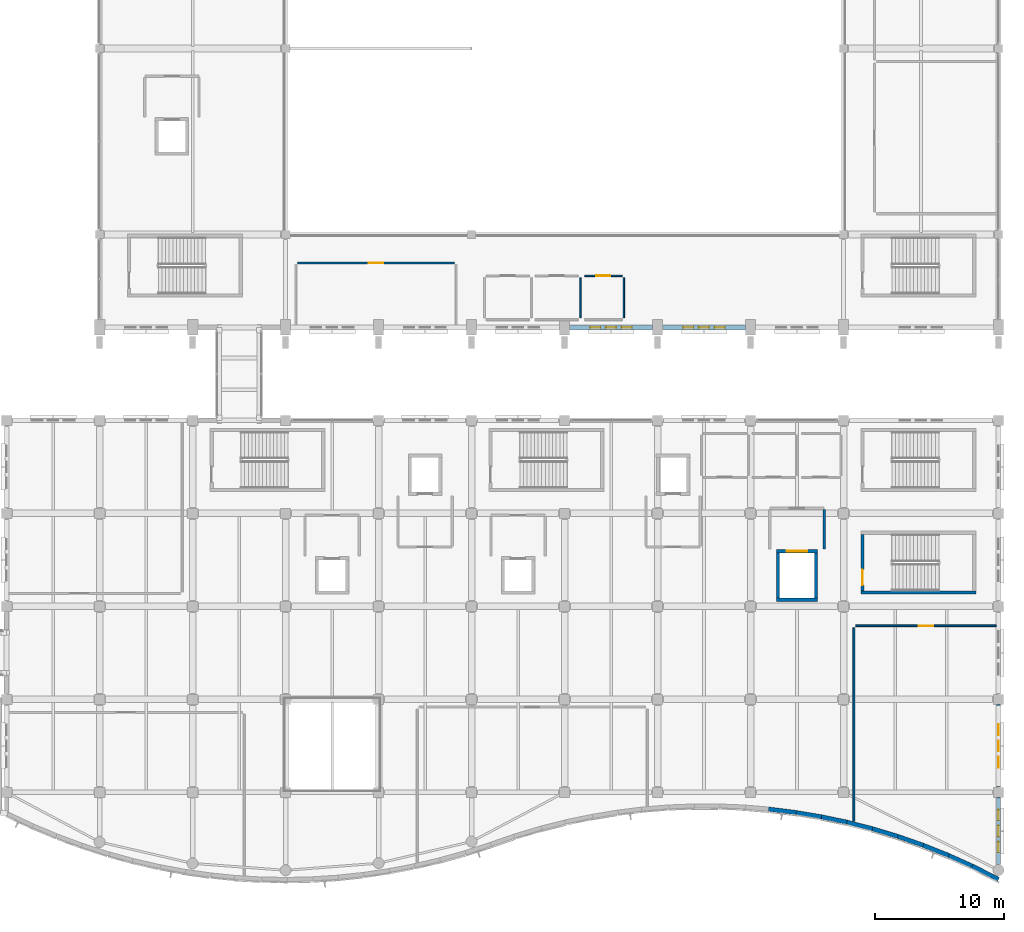
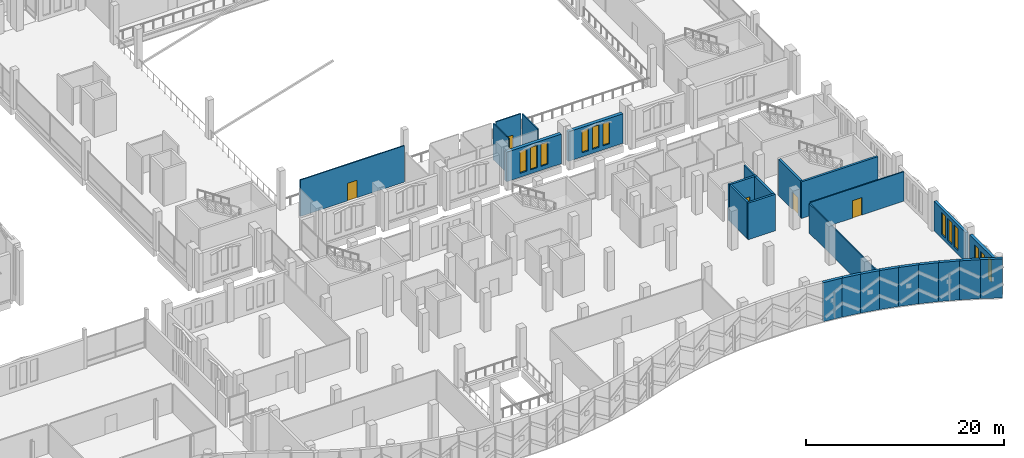
# One storey, part 162 of 220: 26 walls, 12 windows, 5 doors, 17 openings.
"""IFC4 building model written with IfcOpenShell, lengths in metres."""

from ifc_helpers import new_model, si_unit, direction, frame, frame_2d, origin, place, context, subcontext, project, spatial, rectangle, extrude, material, layer, layer_set, type_object, element, fill, save


model = new_model("IFC4")

# Units and contexts
model_context = context("Model", 3, precision=1e-05, world=origin(), true_north=direction((0.0, 1.0)))
body_context = subcontext(model_context, "Body", "Model", "MODEL_VIEW")
ifc_project = project(units=[si_unit("LENGTHUNIT", "METRE"), si_unit("AREAUNIT", "SQUARE_METRE"), si_unit("VOLUMEUNIT", "CUBIC_METRE"), si_unit("PLANEANGLEUNIT", "RADIAN"), si_unit("MASSUNIT", "GRAM", prefix="KILO")], contexts=[model_context])

# Site, building, storey
site_placement = place(None, origin())
site = spatial("IfcSite", under=ifc_project, at=site_placement, CompositionType="ELEMENT")
building_placement = place(site_placement, origin())
building = spatial("IfcBuilding", under=site, at=building_placement, Name="Cendralis Lancet Convention Centre", CompositionType="ELEMENT")
storey_placement = place(building_placement, frame((0.0, 0.0, 5.39990234375)))
storey = spatial("IfcBuildingStorey", under=building, at=storey_placement, Name="L01", CompositionType="ELEMENT", Elevation=5.39990234375)

# Wall, openings, windows
ifc_material_1 = material(Name="Buff sandstone ashlar and Concrete G40 (C40/50)", Category="masonry")
ifc_layer_1 = layer(ifc_material_1, 0.320068359375, Name="Buff sandstone ashlar and Concrete G40 (C40/50)")
ifc_layer_set_1 = layer_set([ifc_layer_1], Name="Buff sandstone ashlar and Concrete G40 (C40/50)")
wall_type_1 = type_object("IfcWallType", Name="ARC-EW-W320", PredefinedType="STANDARD", material=ifc_layer_set_1)
wall_1_placement = place(storey_placement, frame((208.800048828125, 13.991943359375, 0.0), z_axis=(0.0, 0.0, 1.0), x_axis=(0.0, -1.0, 0.0)))
wall_1 = element("IfcWall", 1, at=wall_1_placement, inside=storey, type_object=wall_type_1, Name="L01 V5 Exterior Wall EW-06 #0272", PredefinedType="STANDARD", context=body_context, shape_type="SweptSolid", body=[
    extrude(rectangle(XDim=6.384033203125, YDim=0.320068359375, at=frame_2d((3.19189453125, 0.0))), origin(), (0.0, 0.0, 1.0), 3.635009765625),
])
opening_1_placement = place(wall_1_placement, frame((1.511962890625, 0.0, 0.5)))
opening_1 = element("IfcOpeningElement", 2, at=opening_1_placement, cuts=wall_1, Name="Opening WN-15", PredefinedType="OPENING", context=body_context, shape_type="SweptSolid", body=[
    extrude(rectangle(XDim=0.840087890625, YDim=2.699951171875, at=frame_2d((0.419921875, 1.35009765625))), frame((0.0, 0.169921875, 0.0), z_axis=(0.0, -1.0, 0.0), x_axis=(1.0, 0.0, 0.0)), (0.0, 0.0, 1.0), 0.340087890625),
])
opening_2_placement = place(wall_1_placement, frame((2.77197265625, 0.0, 0.5)))
opening_2 = element("IfcOpeningElement", 3, at=opening_2_placement, cuts=wall_1, Name="Opening WN-15", PredefinedType="OPENING", context=body_context, shape_type="SweptSolid", body=[
    extrude(rectangle(XDim=0.840087890625, YDim=2.699951171875, at=frame_2d((0.419921875, 1.35009765625))), frame((0.0, 0.169921875, 0.0), z_axis=(0.0, -1.0, 0.0), x_axis=(1.0, 0.0, 0.0)), (0.0, 0.0, 1.0), 0.340087890625),
])
opening_3_placement = place(wall_1_placement, frame((4.031982421875, 0.0, 0.5)))
opening_3 = element("IfcOpeningElement", 4, at=opening_3_placement, cuts=wall_1, Name="Opening WN-15", PredefinedType="OPENING", context=body_context, shape_type="SweptSolid", body=[
    extrude(rectangle(XDim=0.840087890625, YDim=2.699951171875, at=frame_2d((0.419921875, 1.35009765625))), frame((0.0, 0.169921875, 0.0), z_axis=(0.0, -1.0, 0.0), x_axis=(1.0, 0.0, 0.0)), (0.0, 0.0, 1.0), 0.340087890625),
])
ifc_material_2 = material(Name="Double-glazed low-E solar-control glass", Category="glass")
window_type_1 = type_object("IfcWindowType", Name="ARC-WN-LW15", PartitioningType="SINGLE_PANEL", PredefinedType="WINDOW", material=ifc_material_2)
window_1_placement = place(opening_1_placement, origin())
window_1 = element("IfcWindow", 5, at=window_1_placement, inside=storey, type_object=window_type_1, Name="Gothic Lancet Window WN-15 #0520", OverallHeight=2.699951171875, OverallWidth=0.840087890625, PartitioningType="SINGLE_PANEL", PredefinedType="WINDOW", context=body_context, shape_type="SweptSolid", body=[
    extrude(rectangle(XDim=0.840087890625, YDim=2.699951171875, at=frame_2d((0.419921875, 1.35009765625))), frame((0.0, 0.030029296875, 0.0), z_axis=(0.0, -1.0, 0.0), x_axis=(1.0, 0.0, 0.0)), (0.0, 0.0, 1.0), 0.06005859375),
])
fill(opening_1, window_1)
window_2_placement = place(opening_2_placement, origin())
window_2 = element("IfcWindow", 6, at=window_2_placement, inside=storey, type_object=window_type_1, Name="Gothic Lancet Window WN-15 #0521", OverallHeight=2.699951171875, OverallWidth=0.840087890625, PartitioningType="SINGLE_PANEL", PredefinedType="WINDOW", context=body_context, shape_type="SweptSolid", body=[
    extrude(rectangle(XDim=0.840087890625, YDim=2.699951171875, at=frame_2d((0.419921875, 1.35009765625))), frame((0.0, 0.030029296875, 0.0), z_axis=(0.0, -1.0, 0.0), x_axis=(1.0, 0.0, 0.0)), (0.0, 0.0, 1.0), 0.06005859375),
])
fill(opening_2, window_2)
window_3_placement = place(opening_3_placement, origin())
window_3 = element("IfcWindow", 7, at=window_3_placement, inside=storey, type_object=window_type_1, Name="Gothic Lancet Window WN-15 #0522", OverallHeight=2.699951171875, OverallWidth=0.840087890625, PartitioningType="SINGLE_PANEL", PredefinedType="WINDOW", context=body_context, shape_type="SweptSolid", body=[
    extrude(rectangle(XDim=0.840087890625, YDim=2.699951171875, at=frame_2d((0.419921875, 1.35009765625))), frame((0.0, 0.030029296875, 0.0), z_axis=(0.0, -1.0, 0.0), x_axis=(1.0, 0.0, 0.0)), (0.0, 0.0, 1.0), 0.06005859375),
])
fill(opening_3, window_3)

wall_2_placement = place(storey_placement, frame((208.800048828125, 6.7919921875, 0.0), z_axis=(0.0, 0.0, 1.0), x_axis=(0.0, -1.0, 0.0)))
wall_2 = element("IfcWall", 8, at=wall_2_placement, inside=storey, type_object=wall_type_1, Name="L01 V5 Exterior Wall EW-06 #0273", PredefinedType="STANDARD", context=body_context, shape_type="SweptSolid", body=[
    extrude(rectangle(XDim=5.17529296875, YDim=0.320068359375, at=frame_2d((2.587646484375, 0.0))), origin(), (0.0, 0.0, 1.0), 3.885009765625),
])
opening_4_placement = place(wall_2_placement, frame((0.947509765625, 0.0, 0.5)))
opening_4 = element("IfcOpeningElement", 9, at=opening_4_placement, cuts=wall_2, Name="Opening WN-07", PredefinedType="OPENING", context=body_context, shape_type="SweptSolid", body=[
    extrude(rectangle(XDim=0.800048828125, YDim=2.75, at=frame_2d((0.39990234375, 1.375))), frame((0.0, 0.169921875, 0.0), z_axis=(0.0, -1.0, 0.0), x_axis=(1.0, 0.0, 0.0)), (0.0, 0.0, 1.0), 0.340087890625),
])
opening_5_placement = place(wall_2_placement, frame((2.16748046875, 0.0, 0.5)))
opening_5 = element("IfcOpeningElement", 10, at=opening_5_placement, cuts=wall_2, Name="Opening WN-15", PredefinedType="OPENING", context=body_context, shape_type="SweptSolid", body=[
    extrude(rectangle(XDim=0.840087890625, YDim=2.699951171875, at=frame_2d((0.419921875, 1.35009765625))), frame((0.0, 0.169921875, 0.0), z_axis=(0.0, -1.0, 0.0), x_axis=(1.0, 0.0, 0.0)), (0.0, 0.0, 1.0), 0.340087890625),
])
opening_6_placement = place(wall_2_placement, frame((3.427490234375, 0.0, 0.5)))
opening_6 = element("IfcOpeningElement", 11, at=opening_6_placement, cuts=wall_2, Name="Opening WN-07", PredefinedType="OPENING", context=body_context, shape_type="SweptSolid", body=[
    extrude(rectangle(XDim=0.800048828125, YDim=2.75, at=frame_2d((0.39990234375, 1.375))), frame((0.0, 0.169921875, 0.0), z_axis=(0.0, -1.0, 0.0), x_axis=(1.0, 0.0, 0.0)), (0.0, 0.0, 1.0), 0.340087890625),
])
window_type_2 = type_object("IfcWindowType", Name="ARC-WN-LW07", PartitioningType="SINGLE_PANEL", PredefinedType="WINDOW", material=ifc_material_2)
window_4_placement = place(opening_4_placement, origin())
window_4 = element("IfcWindow", 12, at=window_4_placement, inside=storey, type_object=window_type_2, Name="Gothic Lancet Window WN-07 #0523", OverallHeight=2.75, OverallWidth=0.800048828125, PartitioningType="SINGLE_PANEL", PredefinedType="WINDOW", context=body_context, shape_type="SweptSolid", body=[
    extrude(rectangle(XDim=0.800048828125, YDim=2.75, at=frame_2d((0.39990234375, 1.375))), frame((0.0, 0.030029296875, 0.0), z_axis=(0.0, -1.0, 0.0), x_axis=(1.0, 0.0, 0.0)), (0.0, 0.0, 1.0), 0.06005859375),
])
fill(opening_4, window_4)
window_5_placement = place(opening_6_placement, origin())
window_5 = element("IfcWindow", 13, at=window_5_placement, inside=storey, type_object=window_type_2, Name="Gothic Lancet Window WN-07 #0525", OverallHeight=2.75, OverallWidth=0.800048828125, PartitioningType="SINGLE_PANEL", PredefinedType="WINDOW", context=body_context, shape_type="SweptSolid", body=[
    extrude(rectangle(XDim=0.800048828125, YDim=2.75, at=frame_2d((0.39990234375, 1.375))), frame((0.0, 0.030029296875, 0.0), z_axis=(0.0, -1.0, 0.0), x_axis=(1.0, 0.0, 0.0)), (0.0, 0.0, 1.0), 0.06005859375),
])
fill(opening_6, window_5)
window_6_placement = place(opening_5_placement, origin())
window_6 = element("IfcWindow", 14, at=window_6_placement, inside=storey, type_object=window_type_1, Name="Gothic Lancet Window WN-15 #0524", OverallHeight=2.699951171875, OverallWidth=0.840087890625, PartitioningType="SINGLE_PANEL", PredefinedType="WINDOW", context=body_context, shape_type="SweptSolid", body=[
    extrude(rectangle(XDim=0.840087890625, YDim=2.699951171875, at=frame_2d((0.419921875, 1.35009765625))), frame((0.0, 0.030029296875, 0.0), z_axis=(0.0, -1.0, 0.0), x_axis=(1.0, 0.0, 0.0)), (0.0, 0.0, 1.0), 0.06005859375),
])
fill(opening_5, window_6)

# Walls
ifc_layer_2 = layer(ifc_material_1, 0.340087890625, Name="Buff sandstone ashlar and Concrete G40 (C40/50)")
ifc_layer_set_2 = layer_set([ifc_layer_2], Name="Buff sandstone ashlar and Concrete G40 (C40/50)")
wall_type_2 = type_object("IfcWallType", Name="ARC-EW-W340", PredefinedType="STANDARD", material=ifc_layer_set_2)
wall_3_placement = place(storey_placement, frame((190.99267578125, 5.905517578125, 0.0), z_axis=(0.0, 0.0, 1.0), x_axis=(0.992340518497, -0.123532567972, 0.0)))
element("IfcWall", 15, at=wall_3_placement, inside=storey, type_object=wall_type_2, Name="South Boulevard Wave Wall L01 WP-097-WP-098", PredefinedType="STANDARD", context=body_context, shape_type="SweptSolid", body=[
    extrude(rectangle(XDim=2.154296875, YDim=0.340087890625, at=frame_2d((1.0771484375, 0.0))), origin(), (0.0, 0.0, 1.0), 4.800048828125),
])
wall_4_placement = place(storey_placement, frame((192.962158203125, 5.6640625, 0.0), z_axis=(0.0, 0.0, 1.0), x_axis=(0.986406105595, -0.164325880023, 0.0)))
element("IfcWall", 16, at=wall_4_placement, inside=storey, type_object=wall_type_2, Name="South Boulevard Wave Wall L01 WP-098-WP-099", PredefinedType="STANDARD", context=body_context, shape_type="SweptSolid", body=[
    extrude(rectangle(XDim=2.166259765625, YDim=0.340087890625, at=frame_2d((1.0830078125, 0.0))), origin(), (0.0, 0.0, 1.0), 4.800048828125),
])
wall_5_placement = place(storey_placement, frame((194.931884765625, 5.339599609375, 0.0), z_axis=(0.0, 0.0, 1.0), x_axis=(0.978597224131, -0.205785016274, 0.0)))
element("IfcWall", 17, at=wall_5_placement, inside=storey, type_object=wall_type_2, Name="South Boulevard Wave Wall L01 WP-099-WP-100", PredefinedType="STANDARD", context=body_context, shape_type="SweptSolid", body=[
    extrude(rectangle(XDim=2.182861328125, YDim=0.340087890625, at=frame_2d((1.09130859375, 0.0))), origin(), (0.0, 0.0, 1.0), 4.800048828125),
])
wall_6_placement = place(storey_placement, frame((196.902587890625, 4.928955078125, 0.0), z_axis=(0.0, 0.0, 1.0), x_axis=(0.969248825285, -0.246082739509, 0.0)))
element("IfcWall", 18, at=wall_6_placement, inside=storey, type_object=wall_type_2, Name="South Boulevard Wave Wall L01 WP-100-WP-101", PredefinedType="STANDARD", context=body_context, shape_type="SweptSolid", body=[
    extrude(rectangle(XDim=2.201416015625, YDim=0.340087890625, at=frame_2d((1.1005859375, 0.0))), origin(), (0.0, 0.0, 1.0), 4.800048828125),
])
wall_7_placement = place(storey_placement, frame((198.87255859375, 4.4326171875, 0.0), z_axis=(0.0, 0.0, 1.0), x_axis=(0.957632889706, -0.287991750844, 0.0)))
element("IfcWall", 19, at=wall_7_placement, inside=storey, type_object=wall_type_2, Name="South Boulevard Wave Wall L01 WP-101-WP-102", PredefinedType="STANDARD", context=body_context, shape_type="SweptSolid", body=[
    extrude(rectangle(XDim=2.22607421875, YDim=0.340087890625, at=frame_2d((1.113037109375, 0.0))), origin(), (0.0, 0.0, 1.0), 4.800048828125),
])
wall_8_placement = place(storey_placement, frame((200.8427734375, 3.843994140625, 0.0), z_axis=(0.0, 0.0, 1.0), x_axis=(0.944466118258, -0.328608812211, 0.0)))
element("IfcWall", 20, at=wall_8_placement, inside=storey, type_object=wall_type_2, Name="South Boulevard Wave Wall L01 WP-102-WP-103", PredefinedType="STANDARD", context=body_context, shape_type="SweptSolid", body=[
    extrude(rectangle(XDim=2.2548828125, YDim=0.340087890625, at=frame_2d((1.12744140625, 0.0))), origin(), (0.0, 0.0, 1.0), 4.800048828125),
])
wall_9_placement = place(storey_placement, frame((202.81298828125, 3.162353515625, 0.0), z_axis=(0.0, 0.0, 1.0), x_axis=(0.929297953996, -0.369330898651, 0.0)))
element("IfcWall", 21, at=wall_9_placement, inside=storey, type_object=wall_type_2, Name="South Boulevard Wave Wall L01 WP-103-WP-104", PredefinedType="STANDARD", context=body_context, shape_type="SweptSolid", body=[
    extrude(rectangle(XDim=2.289794921875, YDim=0.340087890625, at=frame_2d((1.14501953125, 0.0))), origin(), (0.0, 0.0, 1.0), 4.800048828125),
])
wall_10_placement = place(storey_placement, frame((204.784423828125, 2.3828125, 0.0), z_axis=(0.0, 0.0, 1.0), x_axis=(0.911764564576, -0.410713256158, 0.0)))
element("IfcWall", 22, at=wall_10_placement, inside=storey, type_object=wall_type_2, Name="South Boulevard Wave Wall L01 WP-104-WP-105", PredefinedType="STANDARD", context=body_context, shape_type="SweptSolid", body=[
    extrude(rectangle(XDim=2.32958984375, YDim=0.340087890625, at=frame_2d((1.164794921875, 0.0))), origin(), (0.0, 0.0, 1.0), 4.800048828125),
])
wall_11_placement = place(storey_placement, frame((206.755126953125, 1.49951171875, 0.0), z_axis=(0.0, 0.0, 1.0), x_axis=(0.892157701522, -0.451724070219, 0.0)))
element("IfcWall", 23, at=wall_11_placement, inside=storey, type_object=wall_type_2, Name="South Boulevard Wave Wall L01 WP-105-WP-106", PredefinedType="STANDARD", context=body_context, shape_type="SweptSolid", body=[
    extrude(rectangle(XDim=2.2919921875, YDim=0.340087890625, at=frame_2d((1.14599609375, 0.0))), origin(), (0.0, 0.0, 1.0), 4.800048828125),
])

# Wall, openings, windows
ifc_layer_3 = layer(ifc_material_1, 0.3798828125, Name="Buff sandstone ashlar and Concrete G40 (C40/50)")
ifc_layer_set_3 = layer_set([ifc_layer_3], Name="Buff sandstone ashlar and Concrete G40 (C40/50)")
wall_type_3 = type_object("IfcWallType", Name="ARC-EW-W380", PredefinedType="STANDARD", material=ifc_layer_set_3)
wall_12_placement = place(storey_placement, frame((181.991943359375, 43.199951171875, 0.0), z_axis=(0.0, 0.0, 1.0), x_axis=(-1.0, 0.0, 0.0)))
wall_12 = element("IfcWall", 24, at=wall_12_placement, inside=storey, type_object=wall_type_3, Name="L01 V2 Exterior Wall EW-03 #0095", PredefinedType="STANDARD", context=body_context, shape_type="SweptSolid", body=[
    extrude(rectangle(XDim=6.384033203125, YDim=0.3798828125, at=frame_2d((3.19189453125, 0.0))), origin(), (0.0, 0.0, 1.0), 3.635009765625),
])
opening_7_placement = place(wall_12_placement, frame((1.572021484375, 0.0, 0.5)))
opening_7 = element("IfcOpeningElement", 25, at=opening_7_placement, cuts=wall_12, Name="Opening WN-07", PredefinedType="OPENING", context=body_context, shape_type="SweptSolid", body=[
    extrude(rectangle(XDim=0.800048828125, YDim=2.75, at=frame_2d((0.39990234375, 1.375))), frame((0.0, 0.199951171875, 0.0), z_axis=(0.0, -1.0, 0.0), x_axis=(1.0, 0.0, 0.0)), (0.0, 0.0, 1.0), 0.39990234375),
])
opening_8_placement = place(wall_12_placement, frame((2.7919921875, 0.0, 0.5)))
opening_8 = element("IfcOpeningElement", 26, at=opening_8_placement, cuts=wall_12, Name="Opening WN-07", PredefinedType="OPENING", context=body_context, shape_type="SweptSolid", body=[
    extrude(rectangle(XDim=0.800048828125, YDim=2.75, at=frame_2d((0.39990234375, 1.375))), frame((0.0, 0.199951171875, 0.0), z_axis=(0.0, -1.0, 0.0), x_axis=(1.0, 0.0, 0.0)), (0.0, 0.0, 1.0), 0.39990234375),
])
opening_9_placement = place(wall_12_placement, frame((4.011962890625, 0.0, 0.5)))
opening_9 = element("IfcOpeningElement", 27, at=opening_9_placement, cuts=wall_12, Name="Opening WN-07", PredefinedType="OPENING", context=body_context, shape_type="SweptSolid", body=[
    extrude(rectangle(XDim=0.800048828125, YDim=2.75, at=frame_2d((0.39990234375, 1.375))), frame((0.0, 0.199951171875, 0.0), z_axis=(0.0, -1.0, 0.0), x_axis=(1.0, 0.0, 0.0)), (0.0, 0.0, 1.0), 0.39990234375),
])
window_7_placement = place(opening_7_placement, origin())
window_7 = element("IfcWindow", 28, at=window_7_placement, inside=storey, type_object=window_type_2, Name="Gothic Lancet Window WN-07 #0162", OverallHeight=2.75, OverallWidth=0.800048828125, PartitioningType="SINGLE_PANEL", PredefinedType="WINDOW", context=body_context, shape_type="SweptSolid", body=[
    extrude(rectangle(XDim=0.800048828125, YDim=2.75, at=frame_2d((0.39990234375, 1.375))), frame((0.0, 0.030029296875, 0.0), z_axis=(0.0, -1.0, 0.0), x_axis=(1.0, 0.0, 0.0)), (0.0, 0.0, 1.0), 0.06005859375),
])
fill(opening_7, window_7)
window_8_placement = place(opening_8_placement, origin())
window_8 = element("IfcWindow", 29, at=window_8_placement, inside=storey, type_object=window_type_2, Name="Gothic Lancet Window WN-07 #0163", OverallHeight=2.75, OverallWidth=0.800048828125, PartitioningType="SINGLE_PANEL", PredefinedType="WINDOW", context=body_context, shape_type="SweptSolid", body=[
    extrude(rectangle(XDim=0.800048828125, YDim=2.75, at=frame_2d((0.39990234375, 1.375))), frame((0.0, 0.030029296875, 0.0), z_axis=(0.0, -1.0, 0.0), x_axis=(1.0, 0.0, 0.0)), (0.0, 0.0, 1.0), 0.06005859375),
])
fill(opening_8, window_8)
window_9_placement = place(opening_9_placement, origin())
window_9 = element("IfcWindow", 30, at=window_9_placement, inside=storey, type_object=window_type_2, Name="Gothic Lancet Window WN-07 #0164", OverallHeight=2.75, OverallWidth=0.800048828125, PartitioningType="SINGLE_PANEL", PredefinedType="WINDOW", context=body_context, shape_type="SweptSolid", body=[
    extrude(rectangle(XDim=0.800048828125, YDim=2.75, at=frame_2d((0.39990234375, 1.375))), frame((0.0, 0.030029296875, 0.0), z_axis=(0.0, -1.0, 0.0), x_axis=(1.0, 0.0, 0.0)), (0.0, 0.0, 1.0), 0.06005859375),
])
fill(opening_9, window_9)

wall_13_placement = place(storey_placement, frame((189.19189453125, 43.199951171875, 0.0), z_axis=(0.0, 0.0, 1.0), x_axis=(-1.0, 0.0, 0.0)))
wall_13 = element("IfcWall", 31, at=wall_13_placement, inside=storey, type_object=wall_type_3, Name="L01 V2 Exterior Wall EW-03 #0096", PredefinedType="STANDARD", context=body_context, shape_type="SweptSolid", body=[
    extrude(rectangle(XDim=6.3837890625, YDim=0.3798828125, at=frame_2d((3.19189453125, 0.0))), origin(), (0.0, 0.0, 1.0), 3.635009765625),
])
opening_10_placement = place(wall_13_placement, frame((1.572021484375, 0.0, 0.5)))
opening_10 = element("IfcOpeningElement", 32, at=opening_10_placement, cuts=wall_13, Name="Opening WN-07", PredefinedType="OPENING", context=body_context, shape_type="SweptSolid", body=[
    extrude(rectangle(XDim=0.800048828125, YDim=2.75, at=frame_2d((0.39990234375, 1.375))), frame((0.0, 0.199951171875, 0.0), z_axis=(0.0, -1.0, 0.0), x_axis=(1.0, 0.0, 0.0)), (0.0, 0.0, 1.0), 0.39990234375),
])
opening_11_placement = place(wall_13_placement, frame((2.7919921875, 0.0, 0.5)))
opening_11 = element("IfcOpeningElement", 33, at=opening_11_placement, cuts=wall_13, Name="Opening WN-07", PredefinedType="OPENING", context=body_context, shape_type="SweptSolid", body=[
    extrude(rectangle(XDim=0.800048828125, YDim=2.75, at=frame_2d((0.39990234375, 1.375))), frame((0.0, 0.199951171875, 0.0), z_axis=(0.0, -1.0, 0.0), x_axis=(1.0, 0.0, 0.0)), (0.0, 0.0, 1.0), 0.39990234375),
])
opening_12_placement = place(wall_13_placement, frame((4.011962890625, 0.0, 0.5)))
opening_12 = element("IfcOpeningElement", 34, at=opening_12_placement, cuts=wall_13, Name="Opening WN-07", PredefinedType="OPENING", context=body_context, shape_type="SweptSolid", body=[
    extrude(rectangle(XDim=0.800048828125, YDim=2.75, at=frame_2d((0.39990234375, 1.375))), frame((0.0, 0.199951171875, 0.0), z_axis=(0.0, -1.0, 0.0), x_axis=(1.0, 0.0, 0.0)), (0.0, 0.0, 1.0), 0.39990234375),
])
window_10_placement = place(opening_10_placement, origin())
window_10 = element("IfcWindow", 35, at=window_10_placement, inside=storey, type_object=window_type_2, Name="Gothic Lancet Window WN-07 #0165", OverallHeight=2.75, OverallWidth=0.800048828125, PartitioningType="SINGLE_PANEL", PredefinedType="WINDOW", context=body_context, shape_type="SweptSolid", body=[
    extrude(rectangle(XDim=0.800048828125, YDim=2.75, at=frame_2d((0.39990234375, 1.375))), frame((0.0, 0.030029296875, 0.0), z_axis=(0.0, -1.0, 0.0), x_axis=(1.0, 0.0, 0.0)), (0.0, 0.0, 1.0), 0.06005859375),
])
fill(opening_10, window_10)
window_11_placement = place(opening_11_placement, origin())
window_11 = element("IfcWindow", 36, at=window_11_placement, inside=storey, type_object=window_type_2, Name="Gothic Lancet Window WN-07 #0166", OverallHeight=2.75, OverallWidth=0.800048828125, PartitioningType="SINGLE_PANEL", PredefinedType="WINDOW", context=body_context, shape_type="SweptSolid", body=[
    extrude(rectangle(XDim=0.800048828125, YDim=2.75, at=frame_2d((0.39990234375, 1.375))), frame((0.0, 0.030029296875, 0.0), z_axis=(0.0, -1.0, 0.0), x_axis=(1.0, 0.0, 0.0)), (0.0, 0.0, 1.0), 0.06005859375),
])
fill(opening_11, window_11)
window_12_placement = place(opening_12_placement, origin())
window_12 = element("IfcWindow", 37, at=window_12_placement, inside=storey, type_object=window_type_2, Name="Gothic Lancet Window WN-07 #0167", OverallHeight=2.75, OverallWidth=0.800048828125, PartitioningType="SINGLE_PANEL", PredefinedType="WINDOW", context=body_context, shape_type="SweptSolid", body=[
    extrude(rectangle(XDim=0.800048828125, YDim=2.75, at=frame_2d((0.39990234375, 1.375))), frame((0.0, 0.030029296875, 0.0), z_axis=(0.0, -1.0, 0.0), x_axis=(1.0, 0.0, 0.0)), (0.0, 0.0, 1.0), 0.06005859375),
])
fill(opening_12, window_12)

# Wall
ifc_material_3 = material(Name="Acoustic fire-rated gypsum board on steel studs", Category="steel")
ifc_layer_4 = layer(ifc_material_3, 0.1201171875, Name="Acoustic fire-rated gypsum board on steel studs")
ifc_layer_set_4 = layer_set([ifc_layer_4], Name="Acoustic fire-rated gypsum board on steel studs")
wall_type_4 = type_object("IfcWallType", Name="ARC-IW-P120", PredefinedType="PARTITIONING", material=ifc_layer_set_4)
wall_14_placement = place(storey_placement, frame((176.449951171875, 43.93994140625, 0.0), z_axis=(0.0, 0.0, 1.0), x_axis=(0.0, 1.0, 0.0)))
element("IfcWall", 38, at=wall_14_placement, inside=storey, type_object=wall_type_4, Name="L01 Interior Partition IW-05 #0096", PredefinedType="PARTITIONING", context=body_context, shape_type="SweptSolid", body=[
    extrude(rectangle(XDim=3.1201171875, YDim=0.1201171875, at=frame_2d((1.56005859375, 0.0))), origin(), (0.0, 0.0, 1.0), 4.485107421875),
])

# Wall, opening, door
wall_15_placement = place(storey_placement, frame((176.75, 47.199951171875, 0.0), z_axis=(0.0, 0.0, 1.0), x_axis=(1.0, 0.0, 0.0)))
wall_15 = element("IfcWall", 39, at=wall_15_placement, inside=storey, type_object=wall_type_4, Name="L01 Interior Partition IW-05 #0097", PredefinedType="PARTITIONING", context=body_context, shape_type="SweptSolid", body=[
    extrude(rectangle(XDim=2.89990234375, YDim=0.1201171875, at=frame_2d((1.449951171875, 0.0))), origin(), (0.0, 0.0, 1.0), 4.485107421875),
])
opening_13_placement = place(wall_15_placement, frame((0.89990234375, 0.0, 0.0)))
opening_13 = element("IfcOpeningElement", 40, at=opening_13_placement, cuts=wall_15, Name="Opening FD-11", PredefinedType="OPENING", context=body_context, shape_type="SweptSolid", body=[
    extrude(rectangle(XDim=1.10009765625, YDim=2.14990234375, at=frame_2d((0.550048828125, 1.074951171875))), frame((0.0, 0.070068359375, 0.0), z_axis=(0.0, -1.0, 0.0), x_axis=(1.0, 0.0, 0.0)), (0.0, 0.0, 1.0), 0.14013671875),
])
ifc_material_4 = material(Name="Steel S355", Category="steel")
door_type_1 = type_object("IfcDoorType", Name="ARC-DR-FF11", OperationType="NOTDEFINED", PredefinedType="DOOR", material=ifc_material_4)
door_1_placement = place(opening_13_placement, origin())
door_1 = element("IfcDoor", 41, at=door_1_placement, inside=storey, type_object=door_type_1, Name="L01-D017 L01 Interior Door FD-11 #0032", OperationType="SINGLE_SWING_RIGHT", OverallHeight=2.14990234375, OverallWidth=1.10009765625, PredefinedType="DOOR", context=body_context, shape_type="SweptSolid", body=[
    extrude(rectangle(XDim=1.10009765625, YDim=2.14990234375, at=frame_2d((0.550048828125, 1.074951171875))), frame((0.0, 0.02490234375, 0.0), z_axis=(0.0, -1.0, 0.0), x_axis=(1.0, 0.0, 0.0)), (0.0, 0.0, 1.0), 0.050048828125),
])
fill(opening_13, door_1)

# Wall
wall_16_placement = place(storey_placement, frame((179.800048828125, 43.93994140625, 0.0), z_axis=(0.0, 0.0, 1.0), x_axis=(0.0, 1.0, 0.0)))
element("IfcWall", 42, at=wall_16_placement, inside=storey, type_object=wall_type_4, Name="L01 Interior Partition IW-05 #0099", PredefinedType="PARTITIONING", context=body_context, shape_type="SweptSolid", body=[
    extrude(rectangle(XDim=3.1201171875, YDim=0.1201171875, at=frame_2d((1.56005859375, 0.0))), origin(), (0.0, 0.0, 1.0), 4.485107421875),
])

# Wall, opening, door
ifc_layer_5 = layer(ifc_material_3, 0.139892578125, Name="Acoustic fire-rated gypsum board on steel studs")
ifc_layer_set_5 = layer_set([ifc_layer_5], Name="Acoustic fire-rated gypsum board on steel studs")
wall_type_5 = type_object("IfcWallType", Name="ARC-IW-P140", PredefinedType="PARTITIONING", material=ifc_layer_set_5)
wall_17_placement = place(storey_placement, frame((154.5400390625, 48.199951171875, 0.0), z_axis=(0.0, 0.0, 1.0), x_axis=(1.0, 0.0, 0.0)))
wall_17 = element("IfcWall", 43, at=wall_17_placement, inside=storey, type_object=wall_type_5, Name="L01 Interior Partition IW-04 #0079", PredefinedType="PARTITIONING", context=body_context, shape_type="SweptSolid", body=[
    extrude(rectangle(XDim=12.119873046875, YDim=0.139892578125, at=frame_2d((6.06005859375, 0.0))), origin(), (0.0, 0.0, 1.0), 4.485107421875),
])
opening_14_placement = place(wall_17_placement, frame((5.510009765625, 0.0, 0.0)))
opening_14 = element("IfcOpeningElement", 44, at=opening_14_placement, cuts=wall_17, Name="Opening FD-11", PredefinedType="OPENING", context=body_context, shape_type="SweptSolid", body=[
    extrude(rectangle(XDim=1.10009765625, YDim=2.14990234375, at=frame_2d((0.550048828125, 1.074951171875))), frame((0.0, 0.079833984375, 0.0), z_axis=(0.0, -1.0, 0.0), x_axis=(1.0, 0.0, 0.0)), (0.0, 0.0, 1.0), 0.159912109375),
])
door_2_placement = place(opening_14_placement, origin())
door_2 = element("IfcDoor", 45, at=door_2_placement, inside=storey, type_object=door_type_1, Name="L01-D011 L01 Interior Door FD-11 #0026", OperationType="SINGLE_SWING_RIGHT", OverallHeight=2.14990234375, OverallWidth=1.10009765625, PredefinedType="DOOR", context=body_context, shape_type="SweptSolid", body=[
    extrude(rectangle(XDim=1.10009765625, YDim=2.14990234375, at=frame_2d((0.550048828125, 1.074951171875))), frame((0.0, 0.02490234375, 0.0), z_axis=(0.0, -1.0, 0.0), x_axis=(1.0, 0.0, 0.0)), (0.0, 0.0, 1.0), 0.050048828125),
])
fill(opening_14, door_2)

# Wall
wall_18_placement = place(storey_placement, frame((197.60009765625, 4.951416015625, 0.0), z_axis=(0.0, 0.0, 1.0), x_axis=(0.0, 1.0, 0.0)))
element("IfcWall", 46, at=wall_18_placement, inside=storey, type_object=wall_type_5, Name="L01 Interior Partition IW-04 #0372", PredefinedType="PARTITIONING", context=body_context, shape_type="SweptSolid", body=[
    extrude(rectangle(XDim=15.008544921875, YDim=0.139892578125, at=frame_2d((7.50439453125, 0.0))), origin(), (0.0, 0.0, 1.0), 3.635009765625),
])

# Wall, opening, door
wall_19_placement = place(storey_placement, frame((197.739990234375, 20.10009765625, 0.0), z_axis=(0.0, 0.0, 1.0), x_axis=(1.0, 0.0, 0.0)))
wall_19 = element("IfcWall", 47, at=wall_19_placement, inside=storey, type_object=wall_type_5, Name="L01 Interior Partition IW-04 #0373", PredefinedType="PARTITIONING", context=body_context, shape_type="SweptSolid", body=[
    extrude(rectangle(XDim=10.889892578125, YDim=0.139892578125, at=frame_2d((5.44482421875, 0.0))), origin(), (0.0, 0.0, 1.0), 3.635009765625),
])
opening_15_placement = place(wall_19_placement, frame((4.89501953125, 0.0, 0.0)))
opening_15 = element("IfcOpeningElement", 48, at=opening_15_placement, cuts=wall_19, Name="Opening FD-11", PredefinedType="OPENING", context=body_context, shape_type="SweptSolid", body=[
    extrude(rectangle(XDim=1.10009765625, YDim=2.14990234375, at=frame_2d((0.550048828125, 1.074951171875))), frame((0.0, 0.079833984375, 0.0), z_axis=(0.0, -1.0, 0.0), x_axis=(1.0, 0.0, 0.0)), (0.0, 0.0, 1.0), 0.159912109375),
])
door_3_placement = place(opening_15_placement, origin())
door_3 = element("IfcDoor", 49, at=door_3_placement, inside=storey, type_object=door_type_1, Name="L01-D035 L01 Interior Door FD-11 #0126", OperationType="SINGLE_SWING_LEFT", OverallHeight=2.14990234375, OverallWidth=1.10009765625, PredefinedType="DOOR", context=body_context, shape_type="SweptSolid", body=[
    extrude(rectangle(XDim=1.10009765625, YDim=2.14990234375, at=frame_2d((0.550048828125, 1.074951171875))), frame((0.0, 0.02490234375, 0.0), z_axis=(0.0, -1.0, 0.0), x_axis=(1.0, 0.0, 0.0)), (0.0, 0.0, 1.0), 0.050048828125),
])
fill(opening_15, door_3)

# Wall
ifc_layer_6 = layer(ifc_material_3, 0.179931640625, Name="Acoustic fire-rated gypsum board on steel studs")
ifc_layer_set_6 = layer_set([ifc_layer_6], Name="Acoustic fire-rated gypsum board on steel studs")
wall_type_6 = type_object("IfcWallType", Name="ARC-IW-P180", PredefinedType="PARTITIONING", material=ifc_layer_set_6)
wall_20_placement = place(storey_placement, frame((195.300048828125, 26.050048828125, 0.0), z_axis=(0.0, 0.0, 1.0), x_axis=(0.0, 1.0, 0.0)))
element("IfcWall", 50, at=wall_20_placement, inside=storey, type_object=wall_type_6, Name="L01 Lift Lobby LG-04 East Wall", PredefinedType="PARTITIONING", context=body_context, shape_type="SweptSolid", body=[
    extrude(rectangle(XDim=3.050048828125, YDim=0.179931640625, at=frame_2d((1.52490234375, 0.0))), origin(), (0.0, 0.0, 1.0), 3.635009765625),
])

# Wall, opening, door
ifc_material_5 = material(Name="Concrete G40 (C40/50)", Category="concrete")
ifc_layer_7 = layer(ifc_material_5, 0.25, Name="Concrete G40 (C40/50)")
ifc_layer_set_7 = layer_set([ifc_layer_7], Name="Concrete G40 (C40/50)")
wall_type_7 = type_object("IfcWallType", Name="STR-SW-CW250", PredefinedType="SHEAR", material=ifc_layer_set_7)
wall_21_placement = place(storey_placement, frame((198.27490234375, 22.800048828125, 0.0), z_axis=(0.0, 0.0, 1.0), x_axis=(0.0, 1.0, 0.0)))
wall_21 = element("IfcWall", 51, at=wall_21_placement, inside=storey, type_object=wall_type_7, Name="L01 Stair Core ST-15 West Shear Wall", PredefinedType="SHEAR", context=body_context, shape_type="SweptSolid", body=[
    extrude(rectangle(XDim=4.3798828125, YDim=0.25, at=frame_2d((2.18994140625, 0.0))), origin(), (0.0, 0.0, 1.0), 4.5),
])
opening_16_placement = place(wall_21_placement, frame((0.449951171875, 0.0, 0.0)))
opening_16 = element("IfcOpeningElement", 52, at=opening_16_placement, cuts=wall_21, Name="Opening SD-12", PredefinedType="OPENING", context=body_context, shape_type="SweptSolid", body=[
    extrude(rectangle(XDim=1.199951171875, YDim=2.14990234375, at=frame_2d((0.60009765625, 1.074951171875))), frame((0.0, 0.135009765625, 0.0), z_axis=(0.0, -1.0, 0.0), x_axis=(1.0, 0.0, 0.0)), (0.0, 0.0, 1.0), 0.27001953125),
])
door_type_2 = type_object("IfcDoorType", Name="ARC-DR-ST12", OperationType="NOTDEFINED", PredefinedType="DOOR", material=ifc_material_4)
door_4_placement = place(opening_16_placement, frame((1.199951171875, 0.0, 0.0), z_axis=(0.0, 0.0, 1.0), x_axis=(-1.0, 0.0, 0.0)))
door_4 = element("IfcDoor", 53, at=door_4_placement, inside=storey, type_object=door_type_2, Name="L01-D082 L01 Exit Stair ST-15 Fire Door", OperationType="SINGLE_SWING_RIGHT", OverallHeight=2.14990234375, OverallWidth=1.199951171875, PredefinedType="DOOR", context=body_context, shape_type="SweptSolid", body=[
    extrude(rectangle(XDim=1.199951171875, YDim=2.14990234375, at=frame_2d((0.60009765625, 1.074951171875))), frame((0.0, 0.02490234375, 0.0), z_axis=(0.0, -1.0, 0.0), x_axis=(1.0, 0.0, 0.0)), (0.0, 0.0, 1.0), 0.050048828125),
])
fill(opening_16, door_4)

# Walls
wall_22_placement = place(storey_placement, frame((198.14990234375, 22.675048828125, 0.0), z_axis=(0.0, 0.0, 1.0), x_axis=(1.0, 0.0, 0.0)))
element("IfcWall", 54, at=wall_22_placement, inside=storey, type_object=wall_type_7, Name="L01 Stair Core ST-15 South Shear Wall", PredefinedType="SHEAR", context=body_context, shape_type="SweptSolid", body=[
    extrude(rectangle(XDim=8.900146484375, YDim=0.25, at=frame_2d((4.4501953125, 0.0))), origin(), (0.0, 0.0, 1.0), 4.5),
])
wall_23_placement = place(storey_placement, frame((191.60009765625, 22.125, 0.0), z_axis=(0.0, 0.0, 1.0), x_axis=(1.0, 0.0, 0.0)))
element("IfcWall", 55, at=wall_23_placement, inside=storey, type_object=wall_type_7, Name="L01 Lift LG-04 South Shaft Wall", PredefinedType="SHEAR", context=body_context, shape_type="SweptSolid", body=[
    extrude(rectangle(XDim=3.199951171875, YDim=0.25, at=frame_2d((1.60009765625, 0.0))), origin(), (0.0, 0.0, 1.0), 4.5),
])

# Wall, opening, door
wall_24_placement = place(storey_placement, frame((191.60009765625, 25.875, 0.0), z_axis=(0.0, 0.0, 1.0), x_axis=(1.0, 0.0, 0.0)))
wall_24 = element("IfcWall", 56, at=wall_24_placement, inside=storey, type_object=wall_type_7, Name="L01 Lift LG-04 North Shaft Wall", PredefinedType="SHEAR", context=body_context, shape_type="SweptSolid", body=[
    extrude(rectangle(XDim=3.199951171875, YDim=0.25, at=frame_2d((1.60009765625, 0.0))), origin(), (0.0, 0.0, 1.0), 4.5),
])
opening_17_placement = place(wall_24_placement, frame((0.800048828125, 0.0, 0.0)))
opening_17 = element("IfcOpeningElement", 57, at=opening_17_placement, cuts=wall_24, Name="Opening LD-16", PredefinedType="OPENING", context=body_context, shape_type="SweptSolid", body=[
    extrude(rectangle(XDim=1.60009765625, YDim=2.199951171875, at=frame_2d((0.800048828125, 1.10009765625))), frame((0.0, 0.135009765625, 0.0), z_axis=(0.0, -1.0, 0.0), x_axis=(1.0, 0.0, 0.0)), (0.0, 0.0, 1.0), 0.27001953125),
])
door_type_3 = type_object("IfcDoorType", Name="ARC-DR-LD16", OperationType="NOTDEFINED", PredefinedType="DOOR", material=ifc_material_4)
door_5_placement = place(opening_17_placement, origin())
door_5 = element("IfcDoor", 58, at=door_5_placement, inside=storey, type_object=door_type_3, Name="L01-D045 L01 Lift LG-04 Sliding Landing Door", OperationType="SLIDING_TO_LEFT", OverallHeight=2.199951171875, OverallWidth=1.60009765625, PredefinedType="DOOR", context=body_context, shape_type="SweptSolid", body=[
    extrude(rectangle(XDim=1.60009765625, YDim=2.199951171875, at=frame_2d((0.800048828125, 1.10009765625))), frame((0.0, 0.02490234375, 0.0), z_axis=(0.0, -1.0, 0.0), x_axis=(1.0, 0.0, 0.0)), (0.0, 0.0, 1.0), 0.050048828125),
])
fill(opening_17, door_5)

# Walls
for number, where, z_axis, x_axis, name in (
    (59, (191.72509765625, 22.25, 0.0), (0.0, 0.0, 1.0), (0.0, 1.0, 0.0), "L01 Lift LG-04 West Shaft Wall"),
    (60, (194.675048828125, 22.25, 0.0), (0.0, 0.0, 1.0), (0.0, 1.0, 0.0), "L01 Lift LG-04 East Shaft Wall"),
):
    element("IfcWall", number, at=place(storey_placement, frame(where, z_axis=z_axis, x_axis=x_axis)), inside=storey, type_object=wall_type_7, Name=name, PredefinedType="SHEAR", context=body_context, shape_type="SweptSolid", body=[
        extrude(rectangle(XDim=3.5, YDim=0.25, at=frame_2d((1.75, 0.0))), origin(), (0.0, 0.0, 1.0), 4.5),
    ])

save(model, "model.ifc")
